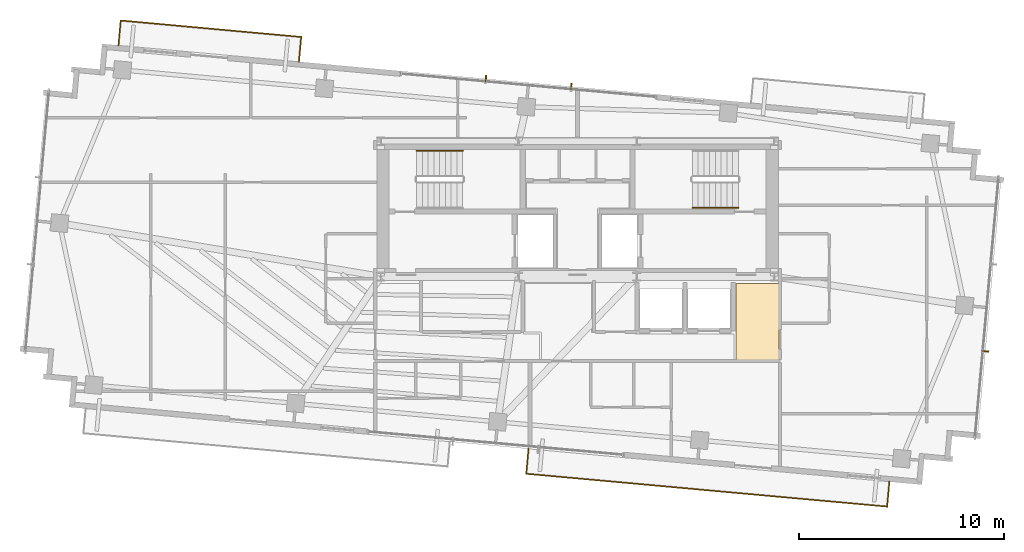
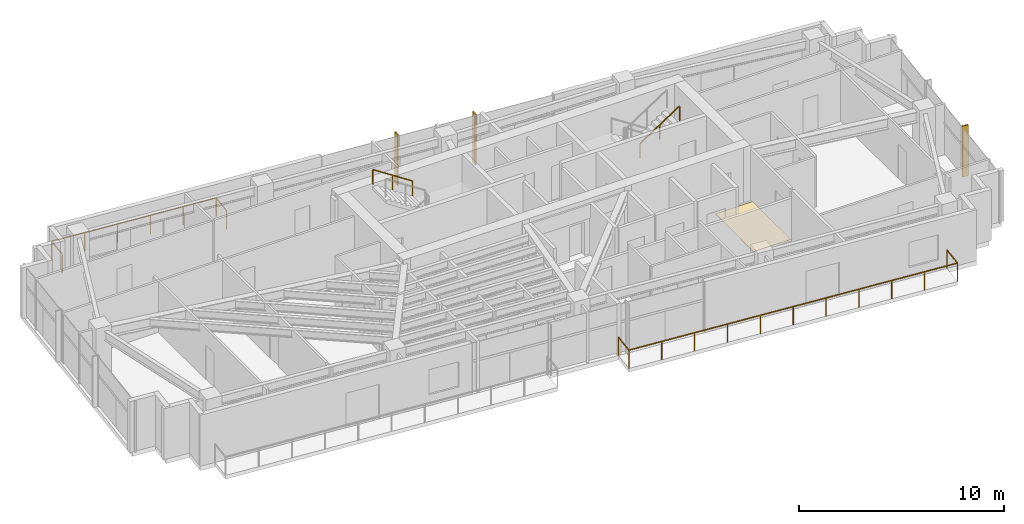
# One storey, part 21 of 22: 4 railings, 3 shading devices, 1 covering.
"""IFC4 building model written with IfcOpenShell, lengths in metres."""

from ifc_helpers import new_model, si_unit, direction, frame, origin, origin_2d, place, context, subcontext, project, spatial, polyline, rectangle, outline, extrude, source, transform, mapped, material, layer, layer_set, type_object, type_shapes, element, save


model = new_model("IFC4")

# Units and contexts
model_context = context("Model", 3, precision=1e-05, world=origin(), true_north=direction((0.0, 1.0)))
body_context = subcontext(model_context, "Body", "Model", "MODEL_VIEW")
ifc_project = project(units=[si_unit("LENGTHUNIT", "METRE"), si_unit("AREAUNIT", "SQUARE_METRE"), si_unit("VOLUMEUNIT", "CUBIC_METRE"), si_unit("PLANEANGLEUNIT", "RADIAN"), si_unit("MASSUNIT", "GRAM", prefix="KILO")], contexts=[model_context])

# Site, building, storey
site_placement = place(None, origin())
site = spatial("IfcSite", under=ifc_project, at=site_placement, CompositionType="ELEMENT")
building_placement = place(site_placement, origin())
building = spatial("IfcBuilding", under=site, at=building_placement, Name="Astriad Promenade Condominiums", CompositionType="ELEMENT")
storey_placement = place(building_placement, frame((0.0, 0.0, 219.89990234375)))
storey = spatial("IfcBuildingStorey", under=building, at=storey_placement, Name="L63", CompositionType="ELEMENT", Elevation=219.89990234375)

# Covering
ifc_material_1 = material(Name="Polished Lakefront Terrazzo Flooring")
ifc_layer = layer(ifc_material_1, 0.02001953125)
ifc_layer_set = layer_set([ifc_layer], Name="Polished Lakefront Terrazzo Flooring")
covering_type = type_object("IfcCoveringType", Name="COV-FLOR-TERRAZZO-20", PredefinedType="FLOORING", material=ifc_layer_set)
covering_placement = place(storey_placement, origin())
element("IfcCovering", 1, at=covering_placement, inside=storey, type_object=covering_type, Name="FLR-L63-COR-1", PredefinedType="FLOORING", context=body_context, shape_type="SweptSolid", body=[
    extrude(outline(polyline([(43.72998046875, 13.320068359375), (43.72998046875, 14.62353515625), (43.73095703125, 14.62451171875), (43.7333984375, 14.627685546875), (43.7353515625, 14.631103515625), (43.737060546875, 14.634765625), (43.73828125, 14.638427734375), (43.7392578125, 14.64208984375), (43.73974609375, 14.64599609375), (43.739990234375, 14.64990234375), (43.739990234375, 17.06005859375), (45.840087890625, 17.06005859375), (45.840087890625, 13.320068359375), (43.72998046875, 13.320068359375)])), origin(), (0.0, 0.0, 1.0), 0.02001953125),
])

# Shading devices
ifc_material_2 = material(Name="Anodised aluminium 6063-T6 Black Fin", Category="aluminium")
shading_device_type = type_object("IfcShadingDeviceType", Name="FIN-BLACK-260", PredefinedType="USERDEFINED", material=ifc_material_2)
shared_shape_1 = source(origin(), body_context, "Body", "SweptSolid", [
    extrude(rectangle(XDim=0.06494140625, YDim=0.320068359375, at=origin_2d()), origin(), (0.0, 0.0, 1.0), 3.0400390625),
])
type_shapes(shading_device_type, [shared_shape_1])
for number, where, z_axis, x_axis, name in (
    (2, (31.526123046875, 27.062744140625, 0.0), (0.0, 0.0, 1.0), (0.995884398616, -0.090632580198, 0.0), "CW-L63-N-FIN-01"),
    (3, (35.68896484375, 26.683837890625, 0.0), (0.0, 0.0, 1.0), (0.995884398616, -0.090632580198, 0.0), "CW-L63-N-FIN-02"),
    (4, (55.920166015625, 13.753662109375, 0.0), (0.0, 0.0, 1.0), (-0.090632580198, -0.995884398616, 0.0), "CW-L63-E-FIN-02"),
):
    element("IfcShadingDevice", number, at=place(storey_placement, frame(where, z_axis=z_axis, x_axis=x_axis)), inside=storey, type_object=shading_device_type, Name=name, ObjectType="FIN", PredefinedType="USERDEFINED", context=body_context, shape_type="MappedRepresentation", body=[
        mapped(shared_shape_1, transform((0.0, 0.0, 0.0), scale=1.0)),
    ])

# Railings
ifc_material_3 = material(Name="Laminated Glass and Stainless Steel Balustrade", Category="steel")
railing_type_1 = type_object("IfcRailingType", Name="GRD-BALC-1120", PredefinedType="BALUSTRADE", material=ifc_material_3)
shared_shape_2 = source(origin(), body_context, "Body", "SweptSolid", [
    extrude(rectangle(XDim=0.048095703125, YDim=0.048095703125, at=origin_2d()), frame((0.0, 0.0, 1.09619140625), z_axis=(-0.090643994769, -0.995883359743, 0.0), x_axis=(0.995883359743, -0.090643994769, 0.0)), (0.0, 0.0, 1.0), 1.22021484375),
    extrude(rectangle(XDim=0.048095703125, YDim=0.048095703125, at=origin_2d()), frame((-0.110595703125, -1.215087890625, 1.09619140625), z_axis=(0.995885283572, -0.090622855645, 0.0), x_axis=(0.090622855645, 0.995885283572, 0.0)), (0.0, 0.0, 1.0), 17.68896484375),
    extrude(rectangle(XDim=0.048095703125, YDim=0.048095703125, at=origin_2d()), frame((17.505615234375, -2.818115234375, 1.09619140625), z_axis=(0.09066206129, 0.995881715186, 0.0), x_axis=(-0.995881715186, 0.09066206129, 0.0)), (0.0, 0.0, 1.0), 1.219970703125),
    extrude(rectangle(XDim=0.0419921875, YDim=0.0419921875, at=origin_2d()), origin(), (0.0, 0.0, 1.0), 1.072021484375),
    extrude(rectangle(XDim=0.0419921875, YDim=0.0419921875, at=origin_2d()), frame((-0.110595703125, -1.215087890625, 0.0)), (0.0, 0.0, 1.0), 1.072021484375),
    extrude(rectangle(XDim=0.0419921875, YDim=0.0419921875, at=origin_2d()), frame((1.651123046875, -1.37548828125, 0.0)), (0.0, 0.0, 1.0), 1.072021484375),
    extrude(rectangle(XDim=0.0419921875, YDim=0.0419921875, at=origin_2d()), frame((3.41259765625, -1.53564453125, 0.0)), (0.0, 0.0, 1.0), 1.072021484375),
    extrude(rectangle(XDim=0.0419921875, YDim=0.0419921875, at=origin_2d()), frame((5.17431640625, -1.696044921875, 0.0)), (0.0, 0.0, 1.0), 1.072021484375),
    extrude(rectangle(XDim=0.0419921875, YDim=0.0419921875, at=origin_2d()), frame((6.935791015625, -1.856201171875, 0.0)), (0.0, 0.0, 1.0), 1.072021484375),
    extrude(rectangle(XDim=0.0419921875, YDim=0.0419921875, at=origin_2d()), frame((8.697509765625, -2.0166015625, 0.0)), (0.0, 0.0, 1.0), 1.072021484375),
    extrude(rectangle(XDim=0.0419921875, YDim=0.0419921875, at=origin_2d()), frame((10.459228515625, -2.177001953125, 0.0)), (0.0, 0.0, 1.0), 1.072021484375),
    extrude(rectangle(XDim=0.0419921875, YDim=0.0419921875, at=origin_2d()), frame((12.220703125, -2.337158203125, 0.0)), (0.0, 0.0, 1.0), 1.072021484375),
    extrude(rectangle(XDim=0.0419921875, YDim=0.0419921875, at=origin_2d()), frame((13.982421875, -2.49755859375, 0.0)), (0.0, 0.0, 1.0), 1.072021484375),
    extrude(rectangle(XDim=0.0419921875, YDim=0.0419921875, at=origin_2d()), frame((15.743896484375, -2.65771484375, 0.0)), (0.0, 0.0, 1.0), 1.072021484375),
    extrude(rectangle(XDim=0.0419921875, YDim=0.0419921875, at=origin_2d()), frame((17.505615234375, -2.818115234375, 0.0)), (0.0, 0.0, 1.0), 1.072021484375),
    extrude(rectangle(XDim=0.0419921875, YDim=0.0419921875, at=origin_2d()), frame((17.6162109375, -1.603271484375, 0.0)), (0.0, 0.0, 1.0), 1.072021484375),
])
railing_1_placement = place(storey_placement, frame((33.604736328125, 8.989990234375, 0.0)))
element("IfcRailing", 5, at=railing_1_placement, inside=storey, type_object=railing_type_1, Name="GRD-BALC-L63-SE", PredefinedType="BALUSTRADE", context=body_context, shape_type="MappedRepresentation", body=[
    mapped(shared_shape_2, transform((0.0, 0.0, 0.0), scale=1.0)),
])
shared_shape_3 = source(origin(), body_context, "Body", "SweptSolid", [
    extrude(rectangle(XDim=0.048095703125, YDim=0.048095703125, at=origin_2d()), frame((0.0, 0.0, 1.09619140625), z_axis=(0.09066206129, 0.995881715186, 0.0), x_axis=(-0.995881715186, 0.09066206129, 0.0)), (0.0, 0.0, 1.0), 1.219970703125),
    extrude(rectangle(XDim=0.048095703125, YDim=0.048095703125, at=origin_2d()), frame((0.110595703125, 1.21484375, 1.09619140625), z_axis=(-0.995884382026, 0.090632762493, 0.0), x_axis=(-0.090632762493, -0.995884382026, 0.0)), (0.0, 0.0, 1.0), 8.848876953125),
    extrude(rectangle(XDim=0.048095703125, YDim=0.048095703125, at=origin_2d()), frame((-8.701904296875, 2.016845703125, 1.09619140625), z_axis=(-0.09066206129, -0.995881715186, 0.0), x_axis=(0.995881715186, -0.09066206129, 0.0)), (0.0, 0.0, 1.0), 1.219970703125),
    extrude(rectangle(XDim=0.0419921875, YDim=0.0419921875, at=origin_2d()), origin(), (0.0, 0.0, 1.0), 1.072021484375),
    extrude(rectangle(XDim=0.0419921875, YDim=0.0419921875, at=origin_2d()), frame((0.110595703125, 1.21484375, 0.0)), (0.0, 0.0, 1.0), 1.072021484375),
    extrude(rectangle(XDim=0.0419921875, YDim=0.0419921875, at=origin_2d()), frame((-1.65185546875, 1.375244140625, 0.0)), (0.0, 0.0, 1.0), 1.072021484375),
    extrude(rectangle(XDim=0.0419921875, YDim=0.0419921875, at=origin_2d()), frame((-3.414306640625, 1.53564453125, 0.0)), (0.0, 0.0, 1.0), 1.072021484375),
    extrude(rectangle(XDim=0.0419921875, YDim=0.0419921875, at=origin_2d()), frame((-5.177001953125, 1.696044921875, 0.0)), (0.0, 0.0, 1.0), 1.072021484375),
    extrude(rectangle(XDim=0.0419921875, YDim=0.0419921875, at=origin_2d()), frame((-6.939453125, 1.8564453125, 0.0)), (0.0, 0.0, 1.0), 1.072021484375),
    extrude(rectangle(XDim=0.0419921875, YDim=0.0419921875, at=origin_2d()), frame((-8.701904296875, 2.016845703125, 0.0)), (0.0, 0.0, 1.0), 1.072021484375),
    extrude(rectangle(XDim=0.0419921875, YDim=0.0419921875, at=origin_2d()), frame((-8.8125, 0.802001953125, 0.0)), (0.0, 0.0, 1.0), 1.072021484375),
])
type_shapes(railing_type_1, [shared_shape_2, shared_shape_3])
railing_2_placement = place(storey_placement, frame((22.40283203125, 27.883056640625, 0.0)))
element("IfcRailing", 6, at=railing_2_placement, inside=storey, type_object=railing_type_1, Name="GRD-BALC-L63-NW", PredefinedType="BALUSTRADE", context=body_context, shape_type="MappedRepresentation", body=[
    mapped(shared_shape_3, transform((0.0, 0.0, 0.0), scale=1.0)),
])
ifc_material_4 = material(Name="Brushed Stainless Steel Handrail", Category="steel")
railing_type_2 = type_object("IfcRailingType", Name="HRL-STAIR-920", PredefinedType="HANDRAIL", material=ifc_material_4)
shared_shape_4 = source(origin(), body_context, "Body", "SweptSolid", [
    extrude(rectangle(XDim=0.048095703125, YDim=0.048095703125, at=origin_2d()), frame((0.0, 0.0, 0.8759765625), z_axis=(0.836636935527, 0.0, 0.547757827979), x_axis=(0.0, 1.0, 0.0)), (0.0, 0.0, 1.0), 2.677490234375),
    extrude(rectangle(XDim=0.0419921875, YDim=0.0419921875, at=origin_2d()), origin(), (0.0, 0.0, 1.0), 0.851806640625),
    extrude(rectangle(XDim=0.0419921875, YDim=0.0419921875, at=origin_2d()), frame((1.1201171875, 0.0, 0.7333984375)), (0.0, 0.0, 1.0), 0.851806640625),
    extrude(rectangle(XDim=0.0419921875, YDim=0.0419921875, at=origin_2d()), frame((2.239990234375, 0.0, 1.466552734375)), (0.0, 0.0, 1.0), 0.851806640625),
])
railing_3_placement = place(storey_placement, frame((41.610107421875, 20.75, 1.83349609375)))
element("IfcRailing", 7, at=railing_3_placement, inside=storey, type_object=railing_type_2, Name="L63 ST-2 stair handrail 2", PredefinedType="HANDRAIL", context=body_context, shape_type="MappedRepresentation", body=[
    mapped(shared_shape_4, transform((0.0, 0.0, 0.0), scale=1.0)),
])
shared_shape_5 = source(origin(), body_context, "Body", "SweptSolid", [
    extrude(rectangle(XDim=0.048095703125, YDim=0.048095703125, at=origin_2d()), frame((0.0, 0.0, 0.8759765625), z_axis=(-0.836636935527, 0.0, 0.547757827979), x_axis=(0.0, -1.0, 0.0)), (0.0, 0.0, 1.0), 2.677490234375),
    extrude(rectangle(XDim=0.0419921875, YDim=0.0419921875, at=origin_2d()), origin(), (0.0, 0.0, 1.0), 0.851806640625),
    extrude(rectangle(XDim=0.0419921875, YDim=0.0419921875, at=origin_2d()), frame((-1.1201171875, 0.0, 0.7333984375)), (0.0, 0.0, 1.0), 0.851806640625),
    extrude(rectangle(XDim=0.0419921875, YDim=0.0419921875, at=origin_2d()), frame((-2.239990234375, 0.0, 1.466552734375)), (0.0, 0.0, 1.0), 0.851806640625),
])
type_shapes(railing_type_2, [shared_shape_4, shared_shape_5])
railing_4_placement = place(storey_placement, frame((30.389892578125, 23.550048828125, 1.83349609375)))
element("IfcRailing", 8, at=railing_4_placement, inside=storey, type_object=railing_type_2, Name="L63 ST-1 stair handrail 2", PredefinedType="HANDRAIL", context=body_context, shape_type="MappedRepresentation", body=[
    mapped(shared_shape_5, transform((0.0, 0.0, 0.0), scale=1.0)),
])

save(model, "model.ifc")
